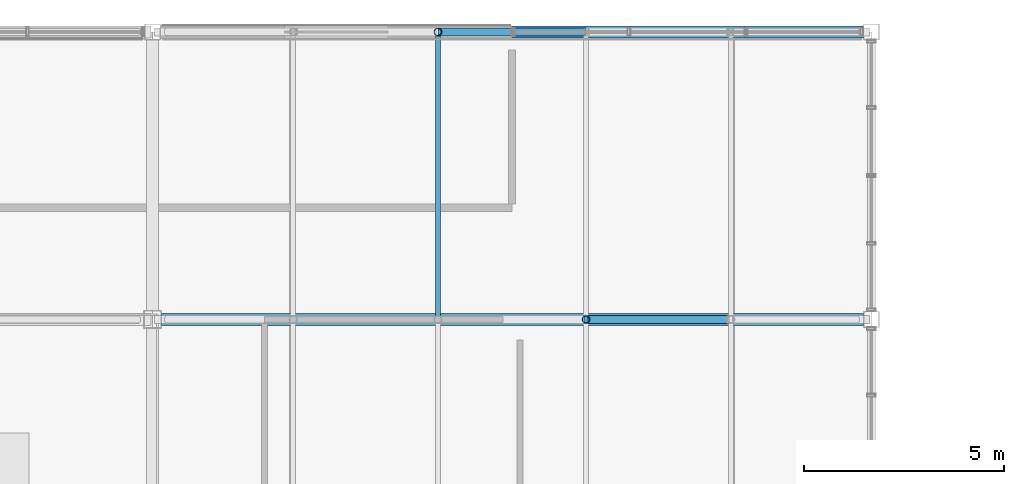
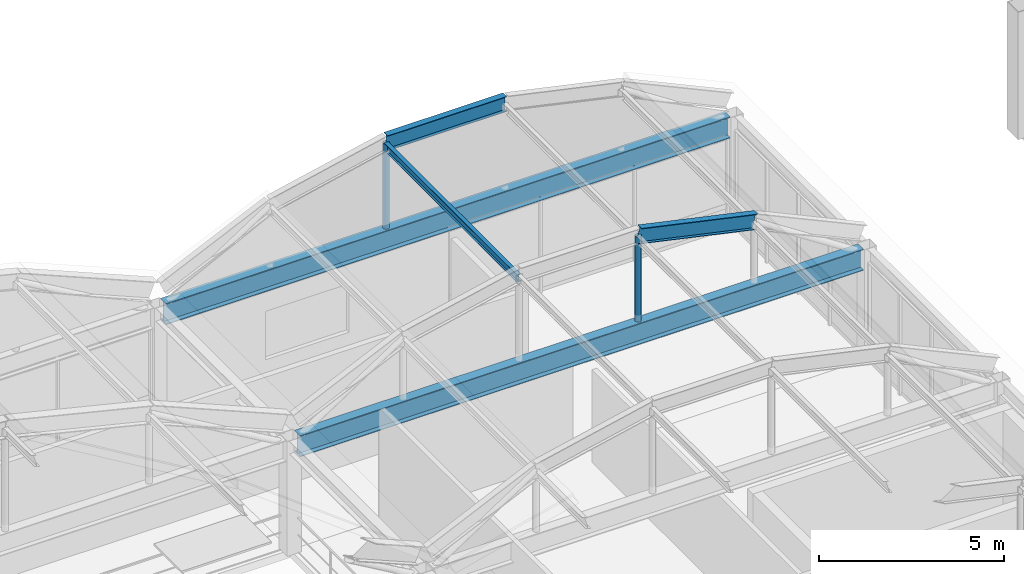
# One storey, part 68 of 106: 5 members, 2 beams.
"""IFC4 building model written with IfcOpenShell, lengths in metres."""

from ifc_helpers import new_model, si_unit, direction, frame, origin, origin_2d, place, context, subcontext, project, spatial, hollow_circle, i_section, extrude, material, material_profile, profile_set, type_object, element, save


model = new_model("IFC4")

# Units and contexts
model_context = context("Model", 3, precision=1e-05, world=origin(), true_north=direction((0.0, 1.0)))
body_context = subcontext(model_context, "Body", "Model", "MODEL_VIEW")
ifc_project = project(units=[si_unit("LENGTHUNIT", "METRE"), si_unit("AREAUNIT", "SQUARE_METRE"), si_unit("VOLUMEUNIT", "CUBIC_METRE"), si_unit("PLANEANGLEUNIT", "RADIAN"), si_unit("MASSUNIT", "GRAM", prefix="KILO")], contexts=[model_context])

# Site, building, storey
site_placement = place(None, origin())
site = spatial("IfcSite", under=ifc_project, at=site_placement, CompositionType="ELEMENT")
building_placement = place(site_placement, origin())
building = spatial("IfcBuilding", under=site, at=building_placement, Name="Kazanami Central Library", CompositionType="ELEMENT")
storey_placement = place(building_placement, frame((0.0, 0.0, 12.800048828125)))
storey = spatial("IfcBuildingStorey", under=building, at=storey_placement, Name="L04", CompositionType="ELEMENT", Elevation=12.800048828125)

# Beams
ifc_material_1 = material(Name="Steel SN490B (325 MPa)", Category="steel")
ifc_material_profile_1 = material_profile(ifc_material_1, i_section(OverallWidth=0.300048828125, OverallDepth=0.699951171875, WebThickness=0.012939453125, FlangeThickness=0.02392578125, at=origin_2d()), Name="H-700x300x13x24")
ifc_profile_set_1 = profile_set([ifc_material_profile_1], Name="Steel SN490B (325 MPa)")
beam_type = type_object("IfcBeamType", Name="BM-G-AT", PredefinedType="BEAM", material=ifc_profile_set_1)
beam_1_placement = place(storey_placement, frame((90.222900390625, 86.39990234375, 3.429931640625), z_axis=(1.0, 0.0, 0.0), x_axis=(0.0, 1.0, 0.0)))
element("IfcBeam", 1, at=beam_1_placement, inside=storey, type_object=beam_type, Name="Barrel Vault Springing Tie Girder G-AT L04 E Grid N", PredefinedType="BEAM", context=body_context, shape_type="SweptSolid", body=[
    extrude(i_section(OverallWidth=0.300048828125, OverallDepth=0.699951171875, WebThickness=0.012939453125, FlangeThickness=0.02392578125, at=origin_2d()), origin(), (0.0, 0.0, 1.0), 17.5791015625),
])
beam_2_placement = place(storey_placement, frame((90.197998046875, 93.60009765625, 3.429931640625), z_axis=(1.0, 0.0, 0.0), x_axis=(0.0, 1.0, 0.0)))
element("IfcBeam", 2, at=beam_2_placement, inside=storey, type_object=beam_type, Name="Barrel Vault Springing Tie Girder G-AT L04 E Grid O", PredefinedType="BEAM", context=body_context, shape_type="SweptSolid", body=[
    extrude(i_section(OverallWidth=0.300048828125, OverallDepth=0.699951171875, WebThickness=0.012939453125, FlangeThickness=0.02392578125, at=origin_2d()), origin(), (0.0, 0.0, 1.0), 17.60400390625),
])

# Members
ifc_material_profile_2 = material_profile(ifc_material_1, i_section(OverallWidth=0.199951171875, OverallDepth=0.5, WebThickness=0.010009765625, FlangeThickness=0.01611328125, at=origin_2d()), Name="H-500x200x10x16")
ifc_profile_set_2 = profile_set([ifc_material_profile_2], Name="Steel SN490B (325 MPa)")
member_type_1 = type_object("IfcMemberType", Name="MEM-AR-02", PredefinedType="CHORD", material=ifc_profile_set_2)
for number, where, z_axis, x_axis, name in (
    (3, (100.85546875, 86.39990234375, 6.604736328125), (0.976745687277, 0.0, -0.214401171606), (0.0, 1.0, 0.0), "Barrel Vault Arch Rib AR-02 VAULT-EAST Grid N Seg 4"),
    (4, (97.14453125, 93.60009765625, 6.604736328125), (1.0, 0.0, 0.0), (0.0, 1.0, 0.0), "Barrel Vault Arch Rib AR-02 VAULT-EAST Grid O Seg 3"),
):
    element("IfcMember", number, at=place(storey_placement, frame(where, z_axis=z_axis, x_axis=x_axis)), inside=storey, type_object=member_type_1, Name=name, PredefinedType="CHORD", context=body_context, shape_type="SweptSolid", body=[
        extrude(i_section(OverallWidth=0.199951171875, OverallDepth=0.5, WebThickness=0.010009765625, FlangeThickness=0.01611328125, at=origin_2d()), origin(), (0.0, 0.0, 1.0), 3.7109375),
    ])
ifc_material_2 = material(Name="Steel SN400B (235 MPa)", Category="steel")
ifc_material_profile_3 = material_profile(ifc_material_2, i_section(OverallWidth=0.125, OverallDepth=0.25, WebThickness=0.006103515625, FlangeThickness=0.009033203125, at=origin_2d()), Name="H-250x125x6x9")
ifc_profile_set_3 = profile_set([ifc_material_profile_3], Name="Steel SN400B (235 MPa)")
member_type_2 = type_object("IfcMemberType", Name="MEM-PUR-250", PredefinedType="PURLIN", material=ifc_profile_set_3)
member_placement = place(storey_placement, frame((97.14453125, 86.405029296875, 6.464599609375), z_axis=(0.0, 1.0, 0.0), x_axis=(-1.0, 0.0, 0.0)))
element("IfcMember", 5, at=member_placement, inside=storey, type_object=member_type_2, Name="Barrel Vault Longitudinal Purlin VAULT-EAST Knuckle 2.4", PredefinedType="PURLIN", context=body_context, shape_type="SweptSolid", body=[
    extrude(i_section(OverallWidth=0.125, OverallDepth=0.25, WebThickness=0.006103515625, FlangeThickness=0.009033203125, at=origin_2d()), origin(), (0.0, 0.0, 1.0), 7.18994140625),
])
ifc_material_3 = material(Name="Steel STK490 (315 MPa)", Category="steel")
ifc_material_profile_4 = material_profile(ifc_material_3, hollow_circle(Radius=0.095458984375, WallThickness=0.007080078125, at=origin_2d()), Name="CHS-190.7x7.0")
ifc_profile_set_4 = profile_set([ifc_material_profile_4], Name="Steel STK490 (315 MPa)")
member_type_3 = type_object("IfcMemberType", Name="MEM-VST-190", PredefinedType="STRUT", material=ifc_profile_set_4)
for number, where, z_axis, x_axis, name in (
    (6, (100.85546875, 86.39990234375, 3.71484375), (0.0, 0.0, 1.0), (1.0, 0.0, 0.0), "Barrel Vault Tied-Arch Web Strut VAULT-EAST Grid N Knuckle 3"),
    (7, (97.14453125, 93.60009765625, 3.71484375), (0.0, 0.0, 1.0), (1.0, 0.0, 0.0), "Barrel Vault Tied-Arch Web Strut VAULT-EAST Grid O Knuckle 2"),
):
    element("IfcMember", number, at=place(storey_placement, frame(where, z_axis=z_axis, x_axis=x_axis)), inside=storey, type_object=member_type_3, Name=name, PredefinedType="STRUT", context=body_context, shape_type="SweptSolid", body=[
        extrude(hollow_circle(Radius=0.095458984375, WallThickness=0.007080078125, at=origin_2d()), origin(), (0.0, 0.0, 1.0), 2.869873046875),
    ])

save(model, "model.ifc")
